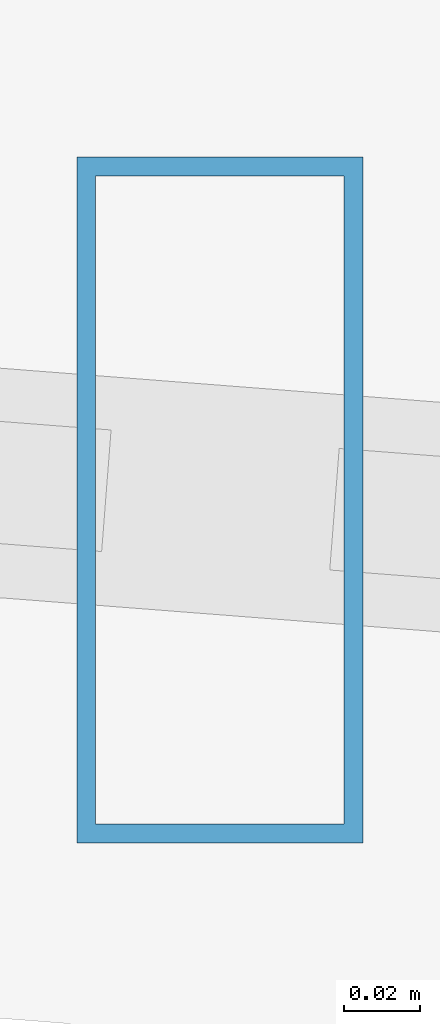
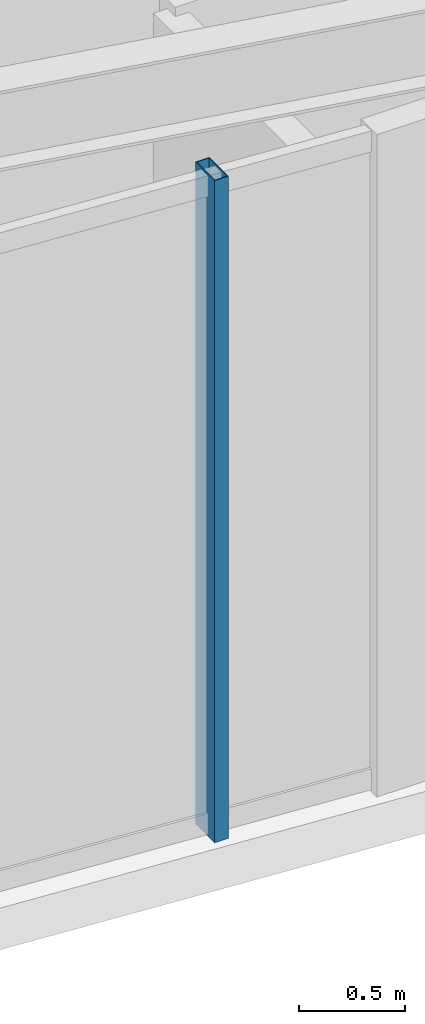
# One storey, part 2 of 30: 1 member, 1 element without a shape of its own.
"""IFC4 building model written with IfcOpenShell, lengths in metres."""

from ifc_helpers import new_model, si_unit, direction, frame, origin, origin_2d, place, context, subcontext, project, spatial, hollow_rectangle, extrude, material, layer, layer_set, material_profile, profile_set, type_object, element, aggregate, save


model = new_model("IFC4")

# Units and contexts
model_context = context("Model", 3, precision=1e-05, world=origin(), true_north=direction((0.0, 1.0)))
body_context = subcontext(model_context, "Body", "Model", "MODEL_VIEW")
ifc_project = project(units=[si_unit("LENGTHUNIT", "METRE"), si_unit("AREAUNIT", "SQUARE_METRE"), si_unit("VOLUMEUNIT", "CUBIC_METRE"), si_unit("PLANEANGLEUNIT", "RADIAN"), si_unit("MASSUNIT", "GRAM", prefix="KILO")], contexts=[model_context])

# Site, building, storey
site_placement = place(None, origin())
site = spatial("IfcSite", under=ifc_project, at=site_placement, CompositionType="ELEMENT")
building_placement = place(site_placement, origin())
building = spatial("IfcBuilding", under=site, at=building_placement, Name="Veymaron Broadcast Tower", CompositionType="ELEMENT")
storey_placement = place(building_placement, frame((0.0, 0.0, 49.949951171875)))
storey = spatial("IfcBuildingStorey", under=building, at=storey_placement, Name="L10", CompositionType="ELEMENT", Elevation=49.949951171875)

# Curtain wall, member
ifc_material_1 = material(Name="Anodised aluminium AA 6063-T6 and laminated low-E dark glass", Category="aluminium")
ifc_layer = layer(ifc_material_1, 0.179931640625)
ifc_layer_set = layer_set([ifc_layer], Name="Anodised aluminium AA 6063-T6 and laminated low-E dark glass")
curtain_wall_type = type_object("IfcCurtainWallType", Name="CW-SYS-02", PredefinedType="NOTDEFINED", material=ifc_layer_set)
curtain_wall_placement = place(storey_placement, origin())
curtain_wall = element("IfcCurtainWall", 1, at=curtain_wall_placement, inside=storey, type_object=curtain_wall_type, Name="L10 dark-glass curtain wall CW-L10-E14-1", PredefinedType="NOTDEFINED")
ifc_material_2 = material(Name="Anodised aluminium AA 6063-T6", Category="aluminium")
ifc_material_profile = material_profile(ifc_material_2, hollow_rectangle(XDim=0.074951171875, YDim=0.179931640625, WallThickness=0.0048828125, at=origin_2d()), Name="AL180X75X5")
ifc_profile_set = profile_set([ifc_material_profile], Name="Anodised aluminium AA 6063-T6")
member_type = type_object("IfcMemberType", Name="CW-MUL-02", PredefinedType="MULLION", material=ifc_profile_set)
member_placement = place(storey_placement, frame((13.186767578125, 18.62109375, 0.0), z_axis=(0.0, 0.0, 1.0), x_axis=(1.0, 0.0, 0.0)))
member = element("IfcMember", 2, at=member_placement, type_object=member_type, Name="CW-L10-E14-1 mullion 1", PredefinedType="MULLION", context=body_context, shape_type="SweptSolid", body=[
    extrude(hollow_rectangle(XDim=0.074951171875, YDim=0.179931640625, WallThickness=0.0048828125, at=origin_2d()), origin(), (0.0, 0.0, 1.0), 3.81005859375),
])
aggregate(curtain_wall, [member])

save(model, "model.ifc")
